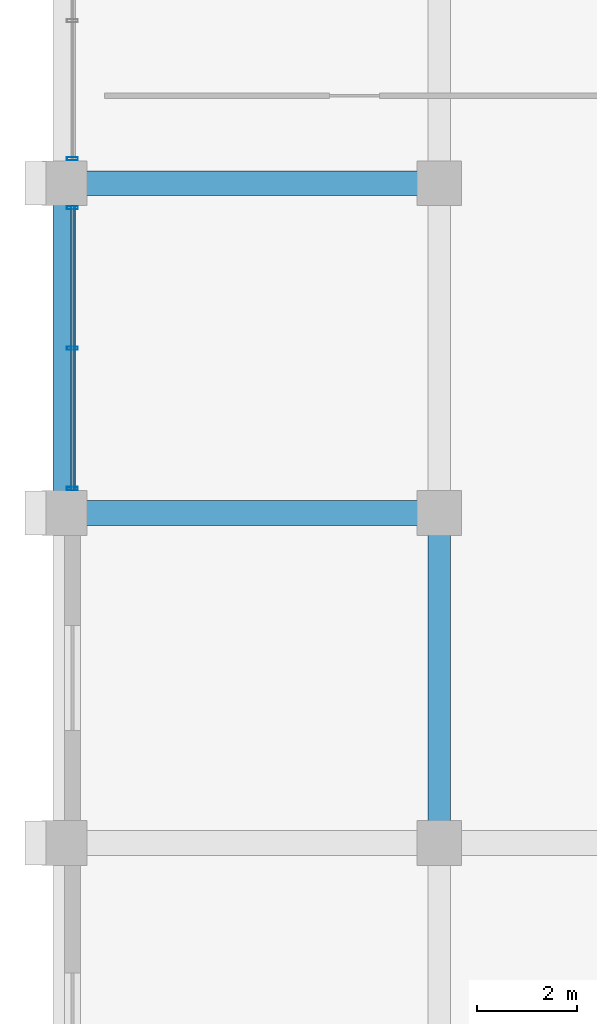
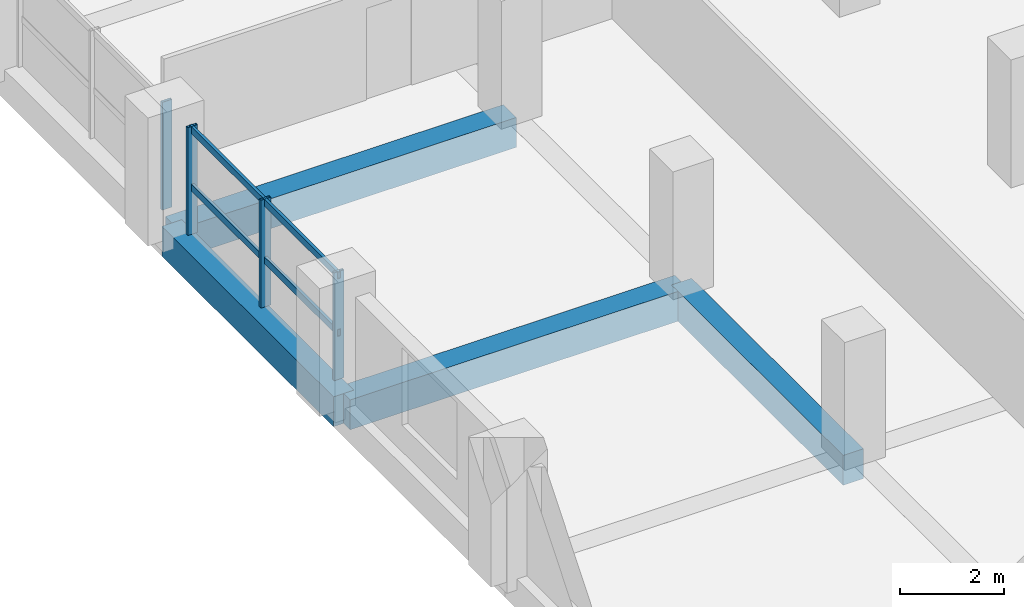
# One storey, part 4 of 22: 6 members, 4 beams, 2 elements without a shape of their own.
"""IFC4 building model written with IfcOpenShell, lengths in metres."""

from ifc_helpers import new_model, si_unit, direction, frame, origin, origin_2d, place, context, subcontext, project, spatial, rectangle, hollow_rectangle, extrude, material, material_profile, profile_set, type_object, element, aggregate, save


model = new_model("IFC4")

# Units and contexts
model_context = context("Model", 3, precision=1e-05, world=origin(), true_north=direction((0.0, 1.0)))
body_context = subcontext(model_context, "Body", "Model", "MODEL_VIEW")
ifc_project = project(units=[si_unit("LENGTHUNIT", "METRE"), si_unit("AREAUNIT", "SQUARE_METRE"), si_unit("VOLUMEUNIT", "CUBIC_METRE"), si_unit("PLANEANGLEUNIT", "RADIAN"), si_unit("MASSUNIT", "GRAM", prefix="KILO")], contexts=[model_context])

# Site, building, storey
site_placement = place(None, origin())
site = spatial("IfcSite", under=ifc_project, at=site_placement, CompositionType="ELEMENT")
building_placement = place(site_placement, origin())
building = spatial("IfcBuilding", under=site, at=building_placement, Name="Akrevak Sports Hall", CompositionType="ELEMENT")
storey_placement = place(building_placement, frame((0.0, 0.0, 30.800048828125)))
storey = spatial("IfcBuildingStorey", under=building, at=storey_placement, Name="L06", CompositionType="ELEMENT", Elevation=30.800048828125)

# Curtain wall, member
ifc_material_1 = material(Name="Anodized Bronze Aluminium & Low-E Glass", Category="aluminium")
curtain_wall_type = type_object("IfcCurtainWallType", Name="ARC-CW-TWR-64x30", PredefinedType="NOTDEFINED", material=ifc_material_1)
curtain_wall_1_placement = place(storey_placement, origin())
curtain_wall_1 = element("IfcCurtainWall", 1, at=curtain_wall_1_placement, inside=storey, type_object=curtain_wall_type, Name="Curtain Wall CW-L06-W30", PredefinedType="NOTDEFINED")
ifc_material_2 = material(Name="Anodized Bronze Aluminium", Category="aluminium")
ifc_material_profile_1 = material_profile(ifc_material_2, hollow_rectangle(XDim=0.06494140625, YDim=0.219970703125, WallThickness=0.00439453125, at=origin_2d()), Name="CWM 65x220", Category="aluminium")
ifc_profile_set_1 = profile_set([ifc_material_profile_1], Name="Anodized Bronze Aluminium")
member_type_1 = type_object("IfcMemberType", Name="ARC-CWM-70x160", PredefinedType="MULLION", material=ifc_profile_set_1)
member_1_placement = place(storey_placement, frame((45.159912109375, 49.090087890625, 0.0), z_axis=(0.0, 0.0, 1.0), x_axis=(0.0, -1.0, 0.0)))
member_1 = element("IfcMember", 2, at=member_1_placement, type_object=member_type_1, Name="Curtain Wall Mullion CW-L06-W30-M3", PredefinedType="MULLION", context=body_context, shape_type="SweptSolid", body=[
    extrude(hollow_rectangle(XDim=0.06494140625, YDim=0.219970703125, WallThickness=0.00439453125, at=origin_2d()), origin(), (0.0, 0.0, 1.0), 2.530029296875),
])
aggregate(curtain_wall_1, [member_1])

# Curtain wall, members
curtain_wall_2_placement = place(storey_placement, origin())
curtain_wall_2 = element("IfcCurtainWall", 3, at=curtain_wall_2_placement, inside=storey, type_object=curtain_wall_type, Name="Curtain Wall CW-L06-W31", PredefinedType="NOTDEFINED")
member_2_placement = place(storey_placement, frame((45.159912109375, 48.110107421875, 0.0), z_axis=(0.0, 0.0, 1.0), x_axis=(0.0, -1.0, 0.0)))
member_2 = element("IfcMember", 4, at=member_2_placement, type_object=member_type_1, Name="Curtain Wall Mullion CW-L06-W31-M1", PredefinedType="MULLION", context=body_context, shape_type="SweptSolid", body=[
    extrude(hollow_rectangle(XDim=0.06494140625, YDim=0.219970703125, WallThickness=0.00439453125, at=origin_2d()), origin(), (0.0, 0.0, 1.0), 2.530029296875),
])
member_3_placement = place(storey_placement, frame((45.159912109375, 45.300048828125, 0.0), z_axis=(0.0, 0.0, 1.0), x_axis=(0.0, -1.0, 0.0)))
member_3 = element("IfcMember", 5, at=member_3_placement, type_object=member_type_1, Name="Curtain Wall Mullion CW-L06-W31-M2", PredefinedType="MULLION", context=body_context, shape_type="SweptSolid", body=[
    extrude(hollow_rectangle(XDim=0.06494140625, YDim=0.219970703125, WallThickness=0.00439453125, at=origin_2d()), origin(), (0.0, 0.0, 1.0), 2.530029296875),
])
member_4_placement = place(storey_placement, frame((45.159912109375, 42.489990234375, 0.0), z_axis=(0.0, 0.0, 1.0), x_axis=(0.0, -1.0, 0.0)))
member_4 = element("IfcMember", 6, at=member_4_placement, type_object=member_type_1, Name="Curtain Wall Mullion CW-L06-W31-M3", PredefinedType="MULLION", context=body_context, shape_type="SweptSolid", body=[
    extrude(hollow_rectangle(XDim=0.06494140625, YDim=0.219970703125, WallThickness=0.00439453125, at=origin_2d()), origin(), (0.0, 0.0, 1.0), 2.530029296875),
])
ifc_material_profile_2 = material_profile(ifc_material_2, hollow_rectangle(XDim=0.06494140625, YDim=0.159912109375, WallThickness=0.00390625, at=origin_2d()), Name="CWT 65x160", Category="aluminium")
ifc_profile_set_2 = profile_set([ifc_material_profile_2], Name="Anodized Bronze Aluminium")
member_type_2 = type_object("IfcMemberType", Name="ARC-CWT-70x130", PredefinedType="USERDEFINED", material=ifc_profile_set_2)
member_5_placement = place(storey_placement, frame((45.159912109375, 48.14990234375, 1.099853515625), z_axis=(0.0, -1.0, 0.0), x_axis=(1.0, 0.0, 0.0)))
member_5 = element("IfcMember", 7, at=member_5_placement, type_object=member_type_2, Name="Curtain Wall Transom CW-L06-W31-T1", ObjectType="TRANSOM", PredefinedType="USERDEFINED", context=body_context, shape_type="SweptSolid", body=[
    extrude(hollow_rectangle(XDim=0.06494140625, YDim=0.159912109375, WallThickness=0.00390625, at=origin_2d()), origin(), (0.0, 0.0, 1.0), 5.699951171875),
])
member_6_placement = place(storey_placement, frame((45.159912109375, 48.14990234375, 2.449951171875), z_axis=(0.0, -1.0, 0.0), x_axis=(1.0, 0.0, 0.0)))
member_6 = element("IfcMember", 8, at=member_6_placement, type_object=member_type_2, Name="Curtain Wall Transom CW-L06-W31-T2", ObjectType="TRANSOM", PredefinedType="USERDEFINED", context=body_context, shape_type="SweptSolid", body=[
    extrude(hollow_rectangle(XDim=0.06494140625, YDim=0.159912109375, WallThickness=0.00390625, at=origin_2d()), origin(), (0.0, 0.0, 1.0), 5.699951171875),
])
aggregate(curtain_wall_2, [member_2, member_3, member_4, member_5, member_6])

# Beams
ifc_material_3 = material(Name="Concrete C40/50", Category="concrete")
ifc_material_profile_3 = material_profile(ifc_material_3, rectangle(XDim=0.449951171875, YDim=0.699951171875, at=origin_2d()), Name="BM 450x700", Category="concrete")
ifc_profile_set_3 = profile_set([ifc_material_profile_3], Name="Concrete C40/50")
beam_type_1 = type_object("IfcBeamType", Name="STR-BM-RC450x700", PredefinedType="BEAM", material=ifc_profile_set_3)
for number, where, z_axis, x_axis, name in (
    (9, (45.0, 42.0, -0.35009765625), (0.0, 1.0, 0.0), (-1.0, 0.0, 0.0), "Girder 7/G-H (L06)"),
    (10, (52.5, 35.39990234375, -0.35009765625), (0.0, 1.0, 0.0), (-1.0, 0.0, 0.0), "Girder 8/F-G (L06)"),
):
    element("IfcBeam", number, at=place(storey_placement, frame(where, z_axis=z_axis, x_axis=x_axis)), inside=storey, type_object=beam_type_1, Name=name, PredefinedType="BEAM", context=body_context, shape_type="SweptSolid", body=[
        extrude(rectangle(XDim=0.449951171875, YDim=0.699951171875, at=origin_2d()), origin(), (0.0, 0.0, 1.0), 6.60009765625),
    ])
ifc_material_profile_4 = material_profile(ifc_material_3, rectangle(XDim=0.5, YDim=0.699951171875, at=origin_2d()), Name="BM 500x700", Category="concrete")
ifc_profile_set_4 = profile_set([ifc_material_profile_4], Name="Concrete C40/50")
beam_type_2 = type_object("IfcBeamType", Name="STR-BM-RC500x700", PredefinedType="BEAM", material=ifc_profile_set_4)
for number, where, z_axis, x_axis, name in (
    (11, (45.0, 42.0, -0.35009765625), (1.0, 0.0, 0.0), (0.0, 1.0, 0.0), "Girder G/7-8 (L06)"),
    (12, (45.0, 48.60009765625, -0.35009765625), (1.0, 0.0, 0.0), (0.0, 1.0, 0.0), "Girder H/7-8 (L06)"),
):
    element("IfcBeam", number, at=place(storey_placement, frame(where, z_axis=z_axis, x_axis=x_axis)), inside=storey, type_object=beam_type_2, Name=name, PredefinedType="BEAM", context=body_context, shape_type="SweptSolid", body=[
        extrude(rectangle(XDim=0.5, YDim=0.699951171875, at=origin_2d()), origin(), (0.0, 0.0, 1.0), 7.5),
    ])

save(model, "model.ifc")
